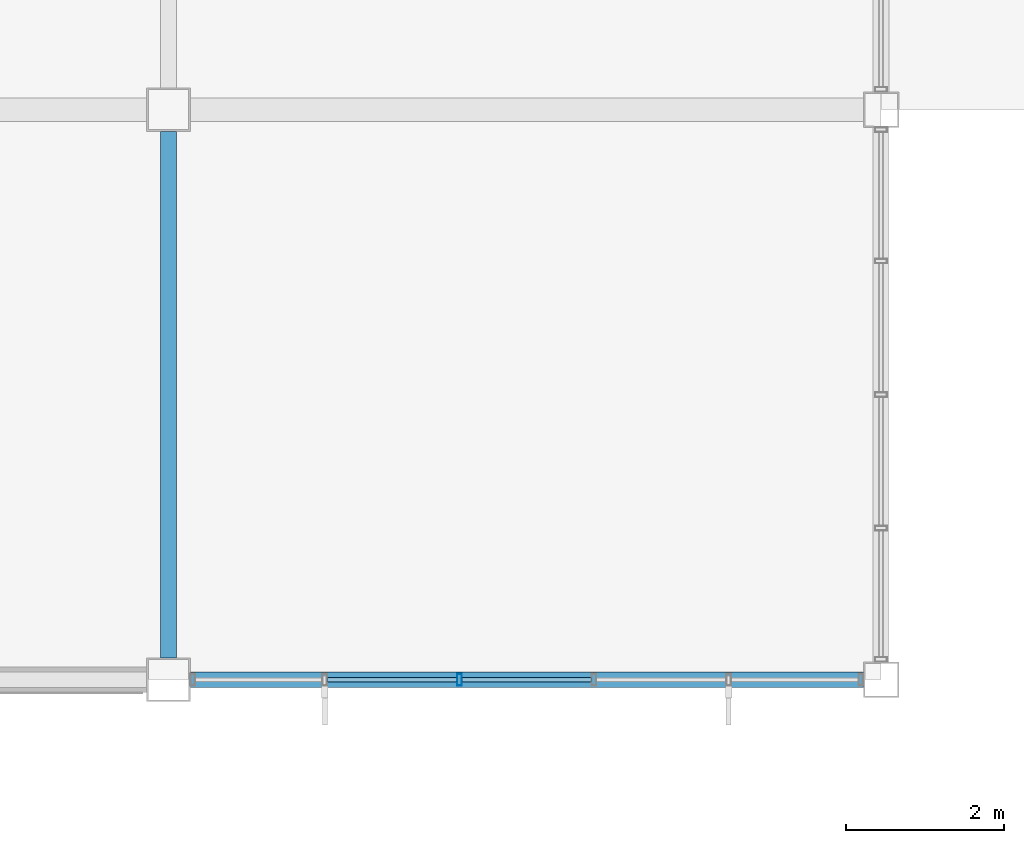
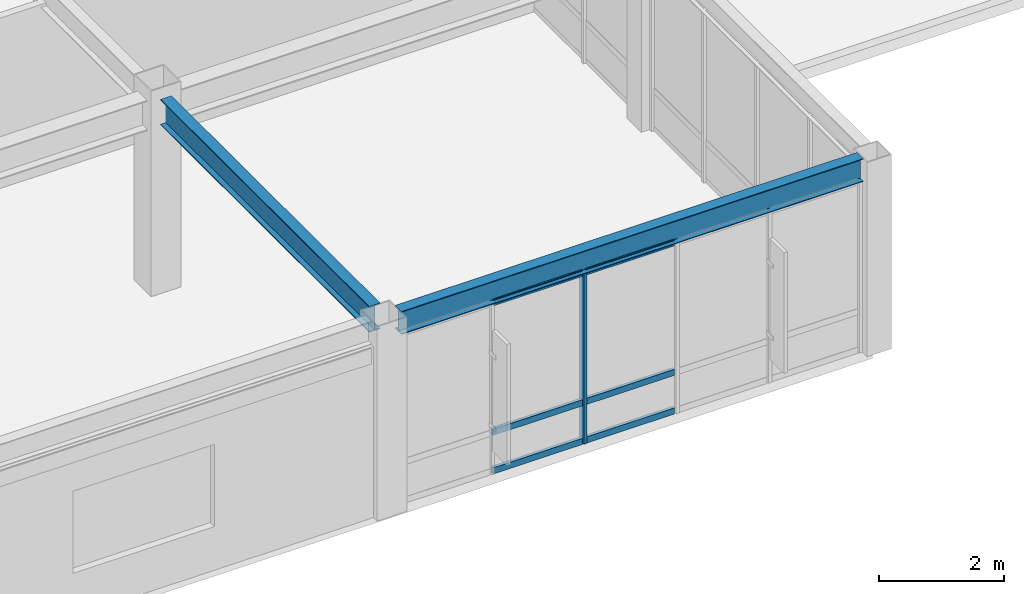
# One storey, part 30 of 113: 7 members, 2 beams, 1 element without a shape of its own.
"""IFC4 building model written with IfcOpenShell, lengths in metres."""

from ifc_helpers import new_model, si_unit, direction, frame, origin, origin_2d, place, context, subcontext, project, spatial, hollow_rectangle, i_section, extrude, material, material_profile, profile_set, type_object, element, aggregate, save


model = new_model("IFC4")

# Units and contexts
model_context = context("Model", 3, precision=1e-05, world=origin(), true_north=direction((0.0, 1.0)))
body_context = subcontext(model_context, "Body", "Model", "MODEL_VIEW")
ifc_project = project(units=[si_unit("LENGTHUNIT", "METRE"), si_unit("AREAUNIT", "SQUARE_METRE"), si_unit("VOLUMEUNIT", "CUBIC_METRE"), si_unit("PLANEANGLEUNIT", "RADIAN"), si_unit("MASSUNIT", "GRAM", prefix="KILO")], contexts=[model_context])

# Site, building, storey
site_placement = place(None, origin())
site = spatial("IfcSite", under=ifc_project, at=site_placement, CompositionType="ELEMENT")
building_placement = place(site_placement, origin())
building = spatial("IfcBuilding", under=site, at=building_placement, Name="Kazanami Central Library", CompositionType="ELEMENT")
storey_placement = place(building_placement, frame((0.0, 0.0, 8.800048828125)))
storey = spatial("IfcBuildingStorey", under=building, at=storey_placement, Name="L03", CompositionType="ELEMENT", Elevation=8.800048828125)

# Beams
ifc_material_1 = material(Name="Steel SN490B (325 MPa)", Category="steel")
ifc_material_profile_1 = material_profile(ifc_material_1, i_section(OverallWidth=0.199951171875, OverallDepth=0.5, WebThickness=0.010009765625, FlangeThickness=0.01611328125, at=origin_2d()), Name="H-500x200x10x16")
ifc_profile_set_1 = profile_set([ifc_material_profile_1], Name="Steel SN490B (325 MPa)")
beam_type_1 = type_object("IfcBeamType", Name="BM-G-Y2", PredefinedType="BEAM", material=ifc_profile_set_1)
beam_1_placement = place(storey_placement, frame((27.0, 57.873046875, 3.530029296875), z_axis=(0.0, 1.0, 0.0), x_axis=(-1.0, 0.0, 0.0)))
element("IfcBeam", 1, at=beam_1_placement, inside=storey, type_object=beam_type_1, Name="Girder G-Y2 L03 4/J-K", PredefinedType="BEAM", context=body_context, shape_type="SweptSolid", body=[
    extrude(i_section(OverallWidth=0.199951171875, OverallDepth=0.5, WebThickness=0.010009765625, FlangeThickness=0.01611328125, at=origin_2d()), origin(), (0.0, 0.0, 1.0), 6.654052734375),
])
ifc_material_profile_2 = material_profile(ifc_material_1, i_section(OverallWidth=0.199951171875, OverallDepth=0.449951171875, WebThickness=0.009033203125, FlangeThickness=0.013916015625, at=origin_2d()), Name="H-450x200x9x14")
ifc_profile_set_2 = profile_set([ifc_material_profile_2], Name="Steel SN490B (325 MPa)")
beam_type_2 = type_object("IfcBeamType", Name="BM-SP-2", PredefinedType="SPANDREL", material=ifc_profile_set_2)
beam_2_placement = place(storey_placement, frame((27.27294921875, 57.60009765625, 3.554931640625), z_axis=(1.0, 0.0, 0.0), x_axis=(0.0, 1.0, 0.0)))
element("IfcBeam", 2, at=beam_2_placement, inside=storey, type_object=beam_type_2, Name="Girder SP-2 L03 J/4-5", PredefinedType="SPANDREL", context=body_context, shape_type="SweptSolid", body=[
    extrude(i_section(OverallWidth=0.199951171875, OverallDepth=0.449951171875, WebThickness=0.009033203125, FlangeThickness=0.013916015625, at=origin_2d()), origin(), (0.0, 0.0, 1.0), 8.504150390625),
])

# Curtain wall, members
ifc_material_2 = material(Name="Acid-Etched Low-E Laminated Glass", Category="glass")
curtain_wall_type = type_object("IfcCurtainWallType", Name="CW-8500x3330-M180", PredefinedType="USERDEFINED", material=ifc_material_2)
curtain_wall_placement = place(storey_placement, origin())
curtain_wall = element("IfcCurtainWall", 3, at=curtain_wall_placement, inside=storey, type_object=curtain_wall_type, Name="Unitised Curtain Wall CW-28 L03 S-J-03", ObjectType="UNITISED CURTAIN WALL", PredefinedType="USERDEFINED")
ifc_material_3 = material(Name="Anodised Aluminium A6063-T5", Category="aluminium")
ifc_material_profile_3 = material_profile(ifc_material_3, hollow_rectangle(XDim=0.06005859375, YDim=0.14990234375, WallThickness=0.00390625, at=origin_2d()), Name="ALU-MULL-60x150x4")
ifc_profile_set_3 = profile_set([ifc_material_profile_3], Name="Anodised Aluminium A6063-T5")
member_type_1 = type_object("IfcMemberType", Name="MEM-CW-M3", PredefinedType="MULLION", material=ifc_profile_set_3)
member_1_placement = place(storey_placement, frame((30.675048828125, 57.60009765625, 0.0), z_axis=(0.0, 0.0, 1.0), x_axis=(1.0, 0.0, 0.0)))
member_1 = element("IfcMember", 4, at=member_1_placement, type_object=member_type_1, Name="CW-28 mullion 3", PredefinedType="MULLION", context=body_context, shape_type="SweptSolid", body=[
    extrude(hollow_rectangle(XDim=0.06005859375, YDim=0.14990234375, WallThickness=0.00390625, at=origin_2d()), origin(), (0.0, 0.0, 1.0), 3.329833984375),
])
ifc_material_profile_4 = material_profile(ifc_material_3, hollow_rectangle(XDim=0.06005859375, YDim=0.1201171875, WallThickness=0.00341796875, at=origin_2d()), Name="ALU-TRAN-60x120x3.5")
ifc_profile_set_4 = profile_set([ifc_material_profile_4], Name="Anodised Aluminium A6063-T5")
member_type_2 = type_object("IfcMemberType", Name="MEM-CW-T3", PredefinedType="USERDEFINED", material=ifc_profile_set_4)
member_2_placement = place(storey_placement, frame((29.0048828125, 57.60009765625, 0.030029296875), z_axis=(1.0, 0.0, 0.0), x_axis=(0.0, 1.0, 0.0)))
member_2 = element("IfcMember", 5, at=member_2_placement, type_object=member_type_2, Name="CW-28 transom 2.1", ObjectType="TRANSOM", PredefinedType="USERDEFINED", context=body_context, shape_type="SweptSolid", body=[
    extrude(hollow_rectangle(XDim=0.06005859375, YDim=0.1201171875, WallThickness=0.00341796875, at=origin_2d()), origin(), (0.0, 0.0, 1.0), 1.64013671875),
])
member_3_placement = place(storey_placement, frame((29.0048828125, 57.60009765625, 0.780029296875), z_axis=(1.0, 0.0, 0.0), x_axis=(0.0, 1.0, 0.0)))
member_3 = element("IfcMember", 6, at=member_3_placement, type_object=member_type_2, Name="CW-28 transom 2.2", ObjectType="TRANSOM", PredefinedType="USERDEFINED", context=body_context, shape_type="SweptSolid", body=[
    extrude(hollow_rectangle(XDim=0.06005859375, YDim=0.1201171875, WallThickness=0.00341796875, at=origin_2d()), origin(), (0.0, 0.0, 1.0), 1.64013671875),
])
member_4_placement = place(storey_placement, frame((29.0048828125, 57.60009765625, 3.300048828125), z_axis=(1.0, 0.0, 0.0), x_axis=(0.0, 1.0, 0.0)))
member_4 = element("IfcMember", 7, at=member_4_placement, type_object=member_type_2, Name="CW-28 transom 2.3", ObjectType="TRANSOM", PredefinedType="USERDEFINED", context=body_context, shape_type="SweptSolid", body=[
    extrude(hollow_rectangle(XDim=0.06005859375, YDim=0.1201171875, WallThickness=0.00341796875, at=origin_2d()), origin(), (0.0, 0.0, 1.0), 1.64013671875),
])
member_5_placement = place(storey_placement, frame((30.705078125, 57.60009765625, 0.030029296875), z_axis=(1.0, 0.0, 0.0), x_axis=(0.0, 1.0, 0.0)))
member_5 = element("IfcMember", 8, at=member_5_placement, type_object=member_type_2, Name="CW-28 transom 3.1", ObjectType="TRANSOM", PredefinedType="USERDEFINED", context=body_context, shape_type="SweptSolid", body=[
    extrude(hollow_rectangle(XDim=0.06005859375, YDim=0.1201171875, WallThickness=0.00341796875, at=origin_2d()), origin(), (0.0, 0.0, 1.0), 1.639892578125),
])
member_6_placement = place(storey_placement, frame((30.705078125, 57.60009765625, 0.780029296875), z_axis=(1.0, 0.0, 0.0), x_axis=(0.0, 1.0, 0.0)))
member_6 = element("IfcMember", 9, at=member_6_placement, type_object=member_type_2, Name="CW-28 transom 3.2", ObjectType="TRANSOM", PredefinedType="USERDEFINED", context=body_context, shape_type="SweptSolid", body=[
    extrude(hollow_rectangle(XDim=0.06005859375, YDim=0.1201171875, WallThickness=0.00341796875, at=origin_2d()), origin(), (0.0, 0.0, 1.0), 1.639892578125),
])
member_7_placement = place(storey_placement, frame((30.705078125, 57.60009765625, 3.300048828125), z_axis=(1.0, 0.0, 0.0), x_axis=(0.0, 1.0, 0.0)))
member_7 = element("IfcMember", 10, at=member_7_placement, type_object=member_type_2, Name="CW-28 transom 3.3", ObjectType="TRANSOM", PredefinedType="USERDEFINED", context=body_context, shape_type="SweptSolid", body=[
    extrude(hollow_rectangle(XDim=0.06005859375, YDim=0.1201171875, WallThickness=0.00341796875, at=origin_2d()), origin(), (0.0, 0.0, 1.0), 1.639892578125),
])
aggregate(curtain_wall, [member_1, member_2, member_3, member_4, member_5, member_6, member_7])

save(model, "model.ifc")
